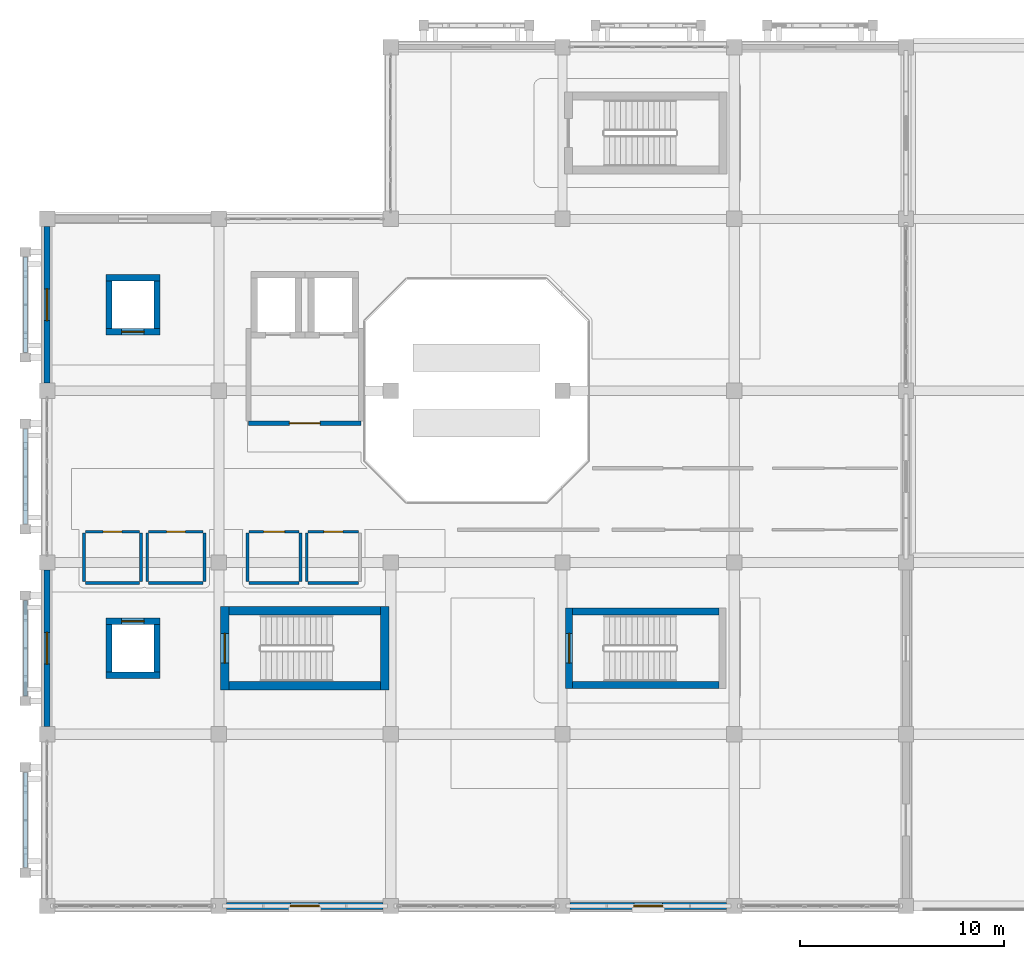
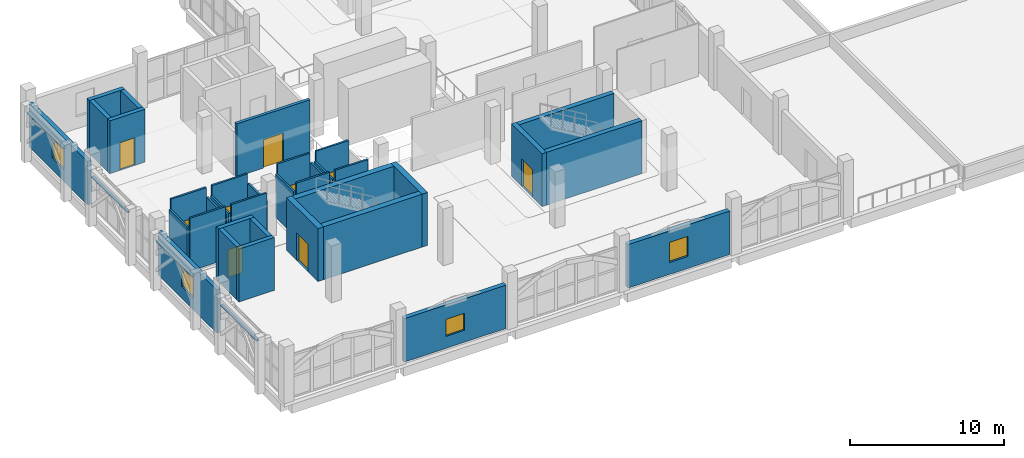
# One storey, part 26 of 34: 39 walls, 9 doors, 4 windows, 13 openings.
"""IFC4 building model written with IfcOpenShell, lengths in metres."""

from ifc_helpers import new_model, si_unit, direction, frame, frame_2d, origin, place, context, subcontext, project, spatial, rectangle, extrude, material, layer, layer_set, type_object, element, fill, save


model = new_model("IFC4")

# Units and contexts
model_context = context("Model", 3, precision=1e-05, world=origin(), true_north=direction((0.0, 1.0)))
body_context = subcontext(model_context, "Body", "Model", "MODEL_VIEW")
ifc_project = project(units=[si_unit("LENGTHUNIT", "METRE"), si_unit("AREAUNIT", "SQUARE_METRE"), si_unit("VOLUMEUNIT", "CUBIC_METRE"), si_unit("PLANEANGLEUNIT", "RADIAN"), si_unit("MASSUNIT", "GRAM", prefix="KILO")], contexts=[model_context])

# Site, building, storey
site_placement = place(None, origin())
site = spatial("IfcSite", under=ifc_project, at=site_placement, CompositionType="ELEMENT")
building_placement = place(site_placement, origin())
building = spatial("IfcBuilding", under=site, at=building_placement, Name="Xazarin Passage Department Store", CompositionType="ELEMENT")
storey_placement = place(building_placement, frame((0.0, 0.0, 18.89990234375)))
storey = spatial("IfcBuildingStorey", under=building, at=storey_placement, Name="L04", CompositionType="ELEMENT", Elevation=18.89990234375)

# Wall, opening, window
ifc_material_1 = material(Name="Precast concrete C40/50", Category="concrete")
ifc_layer_1 = layer(ifc_material_1, 0.280029296875)
ifc_layer_set_1 = layer_set([ifc_layer_1], Name="Precast concrete C40/50")
wall_type_1 = type_object("IfcWallType", Name="ARC-W-EXT280", PredefinedType="SOLIDWALL", material=ifc_layer_set_1)
wall_1_placement = place(storey_placement, frame((0.0, 76.77490234375, 0.0), z_axis=(0.0, 0.0, 1.0), x_axis=(0.0, 1.0, 0.0)))
wall_1 = element("IfcWall", 1, at=wall_1_placement, inside=storey, type_object=wall_type_1, Name="L04 V1 Exterior Wall 054", PredefinedType="SOLIDWALL", context=body_context, shape_type="SweptSolid", body=[
    extrude(rectangle(XDim=7.650146484375, YDim=0.280029296875, at=frame_2d((3.8251953125, 0.0))), origin(), (0.0, 0.0, 1.0), 3.4501953125),
])
opening_1_placement = place(wall_1_placement, frame((3.050048828125, 0.0, 0.949951171875)))
opening_1 = element("IfcOpeningElement", 2, at=opening_1_placement, cuts=wall_1, Name="Opening W18", PredefinedType="OPENING", context=body_context, shape_type="SweptSolid", body=[
    extrude(rectangle(XDim=1.550048828125, YDim=1.60009765625, at=frame_2d((0.77490234375, 0.800048828125))), frame((0.0, 0.14990234375, 0.0), z_axis=(0.0, -1.0, 0.0), x_axis=(1.0, 0.0, 0.0)), (0.0, 0.0, 1.0), 0.300048828125),
])
ifc_material_2 = material(Name="Low-E laminated safety glass", Category="glass")
window_type_1 = type_object("IfcWindowType", Name="ARC-WIN-W18", PartitioningType="SINGLE_PANEL", PredefinedType="WINDOW", material=ifc_material_2)
window_1_placement = place(opening_1_placement, origin())
window_1 = element("IfcWindow", 3, at=window_1_placement, inside=storey, type_object=window_type_1, Name="L04 V1 Facade Window 0018", OverallHeight=1.60009765625, OverallWidth=1.550048828125, PartitioningType="SINGLE_PANEL", PredefinedType="WINDOW", context=body_context, shape_type="SweptSolid", body=[
    extrude(rectangle(XDim=1.550048828125, YDim=1.60009765625, at=frame_2d((0.77490234375, 0.800048828125))), frame((0.0, 0.030029296875, 0.0), z_axis=(0.0, -1.0, 0.0), x_axis=(1.0, 0.0, 0.0)), (0.0, 0.0, 1.0), 0.06005859375),
])
fill(opening_1, window_1)

ifc_layer_2 = layer(ifc_material_1, 0.300048828125)
ifc_layer_set_2 = layer_set([ifc_layer_2], Name="Precast concrete C40/50")
wall_type_2 = type_object("IfcWallType", Name="ARC-W-EXT300", PredefinedType="SOLIDWALL", material=ifc_layer_set_2)
wall_2_placement = place(storey_placement, frame((0.0, 93.574951171875, 0.0), z_axis=(0.0, 0.0, 1.0), x_axis=(0.0, 1.0, 0.0)))
wall_2 = element("IfcWall", 4, at=wall_2_placement, inside=storey, type_object=wall_type_2, Name="L04 V1 Exterior Wall 055", PredefinedType="SOLIDWALL", context=body_context, shape_type="SweptSolid", body=[
    extrude(rectangle(XDim=7.650146484375, YDim=0.300048828125, at=frame_2d((3.8251953125, 0.0))), origin(), (0.0, 0.0, 1.0), 3.4501953125),
])
opening_2_placement = place(wall_2_placement, frame((3.050048828125, 0.0, 0.949951171875)))
opening_2 = element("IfcOpeningElement", 5, at=opening_2_placement, cuts=wall_2, Name="Opening W19", PredefinedType="OPENING", context=body_context, shape_type="SweptSolid", body=[
    extrude(rectangle(XDim=1.550048828125, YDim=1.85009765625, at=frame_2d((0.77490234375, 0.925048828125))), frame((0.0, 0.159912109375, 0.0), z_axis=(0.0, -1.0, 0.0), x_axis=(1.0, 0.0, 0.0)), (0.0, 0.0, 1.0), 0.320068359375),
])
window_type_2 = type_object("IfcWindowType", Name="ARC-WIN-W19", PartitioningType="SINGLE_PANEL", PredefinedType="WINDOW", material=ifc_material_2)
window_2_placement = place(opening_2_placement, origin())
window_2 = element("IfcWindow", 6, at=window_2_placement, inside=storey, type_object=window_type_2, Name="L04 V1 Facade Window 0019", OverallHeight=1.85009765625, OverallWidth=1.550048828125, PartitioningType="SINGLE_PANEL", PredefinedType="WINDOW", context=body_context, shape_type="SweptSolid", body=[
    extrude(rectangle(XDim=1.550048828125, YDim=1.85009765625, at=frame_2d((0.77490234375, 0.925048828125))), frame((0.0, 0.030029296875, 0.0), z_axis=(0.0, -1.0, 0.0), x_axis=(1.0, 0.0, 0.0)), (0.0, 0.0, 1.0), 0.06005859375),
])
fill(opening_2, window_2)

ifc_material_3 = material(Name="Buff Baku clay brick", Category="masonry")
ifc_layer_3 = layer(ifc_material_3, 0.320068359375)
ifc_layer_set_3 = layer_set([ifc_layer_3], Name="Buff Baku clay brick")
wall_type_3 = type_object("IfcWallType", Name="ARC-W-EXT320", PredefinedType="SOLIDWALL", material=ifc_layer_set_3)
wall_3_placement = place(storey_placement, frame((8.77490234375, 68.0, 0.0), z_axis=(0.0, 0.0, 1.0), x_axis=(1.0, 0.0, 0.0)))
wall_3 = element("IfcWall", 7, at=wall_3_placement, inside=storey, type_object=wall_type_3, Name="L04 V1 Exterior Wall 049", PredefinedType="SOLIDWALL", context=body_context, shape_type="SweptSolid", body=[
    extrude(rectangle(XDim=7.650146484375, YDim=0.320068359375, at=frame_2d((3.8251953125, 0.0))), origin(), (0.0, 0.0, 1.0), 3.4501953125),
])
opening_3_placement = place(wall_3_placement, frame((3.125, 0.0, 0.949951171875)))
opening_3 = element("IfcOpeningElement", 8, at=opening_3_placement, cuts=wall_3, Name="Opening W13", PredefinedType="OPENING", context=body_context, shape_type="SweptSolid", body=[
    extrude(rectangle(XDim=1.39990234375, YDim=1.35009765625, at=frame_2d((0.699951171875, 0.675048828125))), frame((0.0, 0.169921875, 0.0), z_axis=(0.0, -1.0, 0.0), x_axis=(1.0, 0.0, 0.0)), (0.0, 0.0, 1.0), 0.340087890625),
])
window_type_3 = type_object("IfcWindowType", Name="ARC-WIN-W13", PartitioningType="SINGLE_PANEL", PredefinedType="WINDOW", material=ifc_material_2)
window_3_placement = place(opening_3_placement, origin())
window_3 = element("IfcWindow", 9, at=window_3_placement, inside=storey, type_object=window_type_3, Name="L04 V1 Facade Window 0013", OverallHeight=1.35009765625, OverallWidth=1.39990234375, PartitioningType="SINGLE_PANEL", PredefinedType="WINDOW", context=body_context, shape_type="SweptSolid", body=[
    extrude(rectangle(XDim=1.39990234375, YDim=1.35009765625, at=frame_2d((0.699951171875, 0.675048828125))), frame((0.0, 0.030029296875, 0.0), z_axis=(0.0, -1.0, 0.0), x_axis=(1.0, 0.0, 0.0)), (0.0, 0.0, 1.0), 0.06005859375),
])
fill(opening_3, window_3)

ifc_material_4 = material(Name="Absheron limestone cladding", Category="masonry")
ifc_layer_4 = layer(ifc_material_4, 0.340087890625)
ifc_layer_set_4 = layer_set([ifc_layer_4], Name="Absheron limestone cladding")
wall_type_4 = type_object("IfcWallType", Name="ARC-W-EXT340", PredefinedType="SOLIDWALL", material=ifc_layer_set_4)
wall_4_placement = place(storey_placement, frame((25.574951171875, 68.0, 0.0), z_axis=(0.0, 0.0, 1.0), x_axis=(1.0, 0.0, 0.0)))
wall_4 = element("IfcWall", 10, at=wall_4_placement, inside=storey, type_object=wall_type_4, Name="L04 V1 Exterior Wall 050", PredefinedType="SOLIDWALL", context=body_context, shape_type="SweptSolid", body=[
    extrude(rectangle(XDim=7.650146484375, YDim=0.340087890625, at=frame_2d((3.8251953125, 0.0))), origin(), (0.0, 0.0, 1.0), 3.4501953125),
])
opening_4_placement = place(wall_4_placement, frame((3.125, 0.0, 0.949951171875)))
opening_4 = element("IfcOpeningElement", 11, at=opening_4_placement, cuts=wall_4, Name="Opening W14", PredefinedType="OPENING", context=body_context, shape_type="SweptSolid", body=[
    extrude(rectangle(XDim=1.39990234375, YDim=1.60009765625, at=frame_2d((0.699951171875, 0.800048828125))), frame((0.0, 0.179931640625, 0.0), z_axis=(0.0, -1.0, 0.0), x_axis=(1.0, 0.0, 0.0)), (0.0, 0.0, 1.0), 0.360107421875),
])
window_type_4 = type_object("IfcWindowType", Name="ARC-WIN-W14", PartitioningType="SINGLE_PANEL", PredefinedType="WINDOW", material=ifc_material_2)
window_4_placement = place(opening_4_placement, origin())
window_4 = element("IfcWindow", 12, at=window_4_placement, inside=storey, type_object=window_type_4, Name="L04 V1 Facade Window 0014", OverallHeight=1.60009765625, OverallWidth=1.39990234375, PartitioningType="SINGLE_PANEL", PredefinedType="WINDOW", context=body_context, shape_type="SweptSolid", body=[
    extrude(rectangle(XDim=1.39990234375, YDim=1.60009765625, at=frame_2d((0.699951171875, 0.800048828125))), frame((0.0, 0.030029296875, 0.0), z_axis=(0.0, -1.0, 0.0), x_axis=(1.0, 0.0, 0.0)), (0.0, 0.0, 1.0), 0.06005859375),
])
fill(opening_4, window_4)

# Wall, opening, door
ifc_material_5 = material(Name="Concrete C35/45", Category="concrete")
ifc_layer_5 = layer(ifc_material_5, 0.22509765625)
ifc_layer_set_5 = layer_set([ifc_layer_5], Name="Concrete C35/45")
wall_type_5 = type_object("IfcWallType", Name="ARC-W-FIR225", PredefinedType="PARTITIONING", material=ifc_layer_set_5)
wall_5_placement = place(storey_placement, frame((9.85009765625, 91.60009765625, 0.0), z_axis=(0.0, 0.0, 1.0), x_axis=(1.0, 0.0, 0.0)))
wall_5 = element("IfcWall", 13, at=wall_5_placement, inside=storey, type_object=wall_type_5, Name="L04 Firefighting Lift Lobby South Wall 0016", PredefinedType="PARTITIONING", context=body_context, shape_type="SweptSolid", body=[
    extrude(rectangle(XDim=5.5, YDim=0.22509765625, at=frame_2d((2.75, 0.0))), origin(), (0.0, 0.0, 1.0), 4.2001953125),
])
opening_5_placement = place(wall_5_placement, frame((2.0, 0.0, 0.0)))
opening_5 = element("IfcOpeningElement", 14, at=opening_5_placement, cuts=wall_5, Name="Opening FD3", PredefinedType="OPENING", context=body_context, shape_type="SweptSolid", body=[
    extrude(rectangle(XDim=1.5, YDim=2.25, at=frame_2d((0.75, 1.125))), frame((0.0, 0.12255859375, 0.0), z_axis=(0.0, -1.0, 0.0), x_axis=(1.0, 0.0, 0.0)), (0.0, 0.0, 1.0), 0.2451171875),
])
ifc_material_6 = material(Name="Steel S355", Category="steel")
door_type_1 = type_object("IfcDoorType", Name="ARC-DR-FFL150", OperationType="NOTDEFINED", PredefinedType="DOOR", material=ifc_material_6)
door_1_placement = place(opening_5_placement, origin())
door_1 = element("IfcDoor", 15, at=door_1_placement, inside=storey, type_object=door_type_1, Name="DR-INT-L04-0016", OperationType="SINGLE_SWING_LEFT", OverallHeight=2.25, OverallWidth=1.5, PredefinedType="DOOR", context=body_context, shape_type="SweptSolid", body=[
    extrude(rectangle(XDim=1.5, YDim=2.25, at=frame_2d((0.75, 1.125))), frame((0.0, 0.02490234375, 0.0), z_axis=(0.0, -1.0, 0.0), x_axis=(1.0, 0.0, 0.0)), (0.0, 0.0, 1.0), 0.050048828125),
])
fill(opening_5, door_1)

# Walls
ifc_layer_6 = layer(ifc_material_1, 0.18994140625)
ifc_layer_set_6 = layer_set([ifc_layer_6], Name="Precast concrete C40/50")
wall_type_6 = type_object("IfcWallType", Name="ARC-W-PAR190", PredefinedType="PARAPET", material=ifc_layer_set_6)
for number, where, z_axis, x_axis, name in (
    (16, (-1.050048828125, 69.8701171875, 3.880126953125), (0.0, 0.0, 1.0), (0.0, 1.0, 0.0), "L04 V1 Pierced-Arch Spandrel Lintel 0046"),
    (17, (-1.050048828125, 78.27001953125, 3.880126953125), (0.0, 0.0, 1.0), (0.0, 1.0, 0.0), "L04 V1 Pierced-Arch Spandrel Lintel 0051"),
):
    element("IfcWall", number, at=place(storey_placement, frame(where, z_axis=z_axis, x_axis=x_axis)), inside=storey, type_object=wall_type_6, Name=name, PredefinedType="PARAPET", context=body_context, shape_type="SweptSolid", body=[
        extrude(rectangle(XDim=4.659912109375, YDim=0.18994140625, at=frame_2d((2.330078125, 0.0))), origin(), (0.0, 0.0, 1.0), 0.119873046875),
    ])
wall_6_placement = place(storey_placement, frame((-1.050048828125, 86.669921875, 3.880126953125), z_axis=(0.0, 0.0, 1.0), x_axis=(0.0, 1.0, 0.0)))
element("IfcWall", 18, at=wall_6_placement, inside=storey, type_object=wall_type_6, Name="L04 V1 Pierced-Arch Spandrel Lintel 0059", PredefinedType="PARAPET", context=body_context, shape_type="SweptSolid", body=[
    extrude(rectangle(XDim=4.66015625, YDim=0.18994140625, at=frame_2d((2.330078125, 0.0))), origin(), (0.0, 0.0, 1.0), 0.119873046875),
])
wall_7_placement = place(storey_placement, frame((-1.050048828125, 95.070068359375, 3.880126953125), z_axis=(0.0, 0.0, 1.0), x_axis=(0.0, 1.0, 0.0)))
element("IfcWall", 19, at=wall_7_placement, inside=storey, type_object=wall_type_6, Name="L04 V1 Pierced-Arch Spandrel Lintel 0067", PredefinedType="PARAPET", context=body_context, shape_type="SweptSolid", body=[
    extrude(rectangle(XDim=4.659912109375, YDim=0.18994140625, at=frame_2d((2.330078125, 0.0))), origin(), (0.0, 0.0, 1.0), 0.119873046875),
])

# Wall, opening, door
ifc_material_7 = material(Name="Moisture-resistant masonry partition", Category="masonry")
ifc_layer_7 = layer(ifc_material_7, 0.139892578125)
ifc_layer_set_7 = layer_set([ifc_layer_7], Name="Moisture-resistant masonry partition")
wall_type_7 = type_object("IfcWallType", Name="ARC-W-PRT140", PredefinedType="PARTITIONING", material=ifc_layer_set_7)
wall_8_placement = place(storey_placement, frame((1.8701171875, 86.300048828125, 0.0), z_axis=(0.0, 0.0, 1.0), x_axis=(1.0, 0.0, 0.0)))
wall_8 = element("IfcWall", 20, at=wall_8_placement, inside=storey, type_object=wall_type_7, Name="L04 Public Male WC 0231", PredefinedType="PARTITIONING", context=body_context, shape_type="SweptSolid", body=[
    extrude(rectangle(XDim=2.659912109375, YDim=0.139892578125, at=frame_2d((1.330078125, 0.0))), origin(), (0.0, 0.0, 1.0), 4.2001953125),
])
opening_6_placement = place(wall_8_placement, frame((0.8701171875, 0.0, 0.0)))
opening_6 = element("IfcOpeningElement", 21, at=opening_6_placement, cuts=wall_8, Name="Opening ID1", PredefinedType="OPENING", context=body_context, shape_type="SweptSolid", body=[
    extrude(rectangle(XDim=0.919921875, YDim=2.1201171875, at=frame_2d((0.4599609375, 1.06005859375))), frame((0.0, 0.079833984375, 0.0), z_axis=(0.0, -1.0, 0.0), x_axis=(1.0, 0.0, 0.0)), (0.0, 0.0, 1.0), 0.159912109375),
])
ifc_material_8 = material(Name="Timber acoustic leaf", Category="wood")
door_type_2 = type_object("IfcDoorType", Name="ARC-DR-WC092", OperationType="NOTDEFINED", PredefinedType="DOOR", material=ifc_material_8)
door_2_placement = place(opening_6_placement, origin())
door_2 = element("IfcDoor", 22, at=door_2_placement, inside=storey, type_object=door_type_2, Name="DR-INT-L04-0231", OperationType="SINGLE_SWING_LEFT", OverallHeight=2.1201171875, OverallWidth=0.919921875, PredefinedType="DOOR", context=body_context, shape_type="SweptSolid", body=[
    extrude(rectangle(XDim=0.919921875, YDim=2.1201171875, at=frame_2d((0.4599609375, 1.06005859375))), frame((0.0, 0.02490234375, 0.0), z_axis=(0.0, -1.0, 0.0), x_axis=(1.0, 0.0, 0.0)), (0.0, 0.0, 1.0), 0.050048828125),
])
fill(opening_6, door_2)

# Walls
wall_9_placement = place(storey_placement, frame((1.8701171875, 83.800048828125, 0.0), z_axis=(0.0, 0.0, 1.0), x_axis=(1.0, 0.0, 0.0)))
element("IfcWall", 23, at=wall_9_placement, inside=storey, type_object=wall_type_7, Name="L04 Public Male WC Back Wall 0232", PredefinedType="PARTITIONING", context=body_context, shape_type="SweptSolid", body=[
    extrude(rectangle(XDim=2.659912109375, YDim=0.139892578125, at=frame_2d((1.330078125, 0.0))), origin(), (0.0, 0.0, 1.0), 4.2001953125),
])
for number, where, z_axis, x_axis, name in (
    (24, (1.800048828125, 83.8701171875, 0.0), (0.0, 0.0, 1.0), (0.0, 1.0, 0.0), "L04 Public Male WC Side Wall 0233"),
    (25, (4.60009765625, 83.8701171875, 0.0), (0.0, 0.0, 1.0), (0.0, 1.0, 0.0), "L04 Public Male WC Side Wall 0234"),
):
    element("IfcWall", number, at=place(storey_placement, frame(where, z_axis=z_axis, x_axis=x_axis)), inside=storey, type_object=wall_type_7, Name=name, PredefinedType="PARTITIONING", context=body_context, shape_type="SweptSolid", body=[
        extrude(rectangle(XDim=2.35986328125, YDim=0.139892578125, at=frame_2d((1.179931640625, 0.0))), origin(), (0.0, 0.0, 1.0), 3.4501953125),
    ])

# Wall, opening, door
wall_10_placement = place(storey_placement, frame((4.969970703125, 86.300048828125, 0.0), z_axis=(0.0, 0.0, 1.0), x_axis=(1.0, 0.0, 0.0)))
wall_10 = element("IfcWall", 26, at=wall_10_placement, inside=storey, type_object=wall_type_7, Name="L04 Public Female WC 0235", PredefinedType="PARTITIONING", context=body_context, shape_type="SweptSolid", body=[
    extrude(rectangle(XDim=2.659912109375, YDim=0.139892578125, at=frame_2d((1.330078125, 0.0))), origin(), (0.0, 0.0, 1.0), 4.2001953125),
])
opening_7_placement = place(wall_10_placement, frame((0.8701171875, 0.0, 0.0)))
opening_7 = element("IfcOpeningElement", 27, at=opening_7_placement, cuts=wall_10, Name="Opening ID1", PredefinedType="OPENING", context=body_context, shape_type="SweptSolid", body=[
    extrude(rectangle(XDim=0.919921875, YDim=2.1201171875, at=frame_2d((0.4599609375, 1.06005859375))), frame((0.0, 0.079833984375, 0.0), z_axis=(0.0, -1.0, 0.0), x_axis=(1.0, 0.0, 0.0)), (0.0, 0.0, 1.0), 0.159912109375),
])
door_3_placement = place(opening_7_placement, origin())
door_3 = element("IfcDoor", 28, at=door_3_placement, inside=storey, type_object=door_type_2, Name="DR-INT-L04-0235", OperationType="SINGLE_SWING_RIGHT", OverallHeight=2.1201171875, OverallWidth=0.919921875, PredefinedType="DOOR", context=body_context, shape_type="SweptSolid", body=[
    extrude(rectangle(XDim=0.919921875, YDim=2.1201171875, at=frame_2d((0.4599609375, 1.06005859375))), frame((0.0, 0.02490234375, 0.0), z_axis=(0.0, -1.0, 0.0), x_axis=(1.0, 0.0, 0.0)), (0.0, 0.0, 1.0), 0.050048828125),
])
fill(opening_7, door_3)

# Walls
wall_11_placement = place(storey_placement, frame((4.969970703125, 83.800048828125, 0.0), z_axis=(0.0, 0.0, 1.0), x_axis=(1.0, 0.0, 0.0)))
element("IfcWall", 29, at=wall_11_placement, inside=storey, type_object=wall_type_7, Name="L04 Public Female WC Back Wall 0236", PredefinedType="PARTITIONING", context=body_context, shape_type="SweptSolid", body=[
    extrude(rectangle(XDim=2.659912109375, YDim=0.139892578125, at=frame_2d((1.330078125, 0.0))), origin(), (0.0, 0.0, 1.0), 4.2001953125),
])
for number, where, z_axis, x_axis, name in (
    (30, (4.89990234375, 83.8701171875, 0.0), (0.0, 0.0, 1.0), (0.0, 1.0, 0.0), "L04 Public Female WC Side Wall 0237"),
    (31, (7.699951171875, 83.8701171875, 0.0), (0.0, 0.0, 1.0), (0.0, 1.0, 0.0), "L04 Public Female WC Side Wall 0238"),
):
    element("IfcWall", number, at=place(storey_placement, frame(where, z_axis=z_axis, x_axis=x_axis)), inside=storey, type_object=wall_type_7, Name=name, PredefinedType="PARTITIONING", context=body_context, shape_type="SweptSolid", body=[
        extrude(rectangle(XDim=2.35986328125, YDim=0.139892578125, at=frame_2d((1.179931640625, 0.0))), origin(), (0.0, 0.0, 1.0), 3.4501953125),
    ])

# Wall, opening, door
wall_12_placement = place(storey_placement, frame((9.8701171875, 86.300048828125, 0.0), z_axis=(0.0, 0.0, 1.0), x_axis=(1.0, 0.0, 0.0)))
wall_12 = element("IfcWall", 32, at=wall_12_placement, inside=storey, type_object=wall_type_7, Name="L04 Accessible WC 0239", PredefinedType="PARTITIONING", context=body_context, shape_type="SweptSolid", body=[
    extrude(rectangle(XDim=2.4599609375, YDim=0.139892578125, at=frame_2d((1.22998046875, 0.0))), origin(), (0.0, 0.0, 1.0), 4.2001953125),
])
opening_8_placement = place(wall_12_placement, frame((0.719970703125, 0.0, 0.0)))
opening_8 = element("IfcOpeningElement", 33, at=opening_8_placement, cuts=wall_12, Name="Opening ID2", PredefinedType="OPENING", context=body_context, shape_type="SweptSolid", body=[
    extrude(rectangle(XDim=1.02001953125, YDim=2.14990234375, at=frame_2d((0.510009765625, 1.074951171875))), frame((0.0, 0.079833984375, 0.0), z_axis=(0.0, -1.0, 0.0), x_axis=(1.0, 0.0, 0.0)), (0.0, 0.0, 1.0), 0.159912109375),
])
door_type_3 = type_object("IfcDoorType", Name="ARC-DR-AWC102", OperationType="NOTDEFINED", PredefinedType="DOOR", material=ifc_material_8)
door_4_placement = place(opening_8_placement, origin())
door_4 = element("IfcDoor", 34, at=door_4_placement, inside=storey, type_object=door_type_3, Name="DR-INT-L04-0239", OperationType="SINGLE_SWING_LEFT", OverallHeight=2.14990234375, OverallWidth=1.02001953125, PredefinedType="DOOR", context=body_context, shape_type="SweptSolid", body=[
    extrude(rectangle(XDim=1.02001953125, YDim=2.14990234375, at=frame_2d((0.510009765625, 1.074951171875))), frame((0.0, 0.02490234375, 0.0), z_axis=(0.0, -1.0, 0.0), x_axis=(1.0, 0.0, 0.0)), (0.0, 0.0, 1.0), 0.050048828125),
])
fill(opening_8, door_4)

# Walls
wall_13_placement = place(storey_placement, frame((9.8701171875, 83.800048828125, 0.0), z_axis=(0.0, 0.0, 1.0), x_axis=(1.0, 0.0, 0.0)))
element("IfcWall", 35, at=wall_13_placement, inside=storey, type_object=wall_type_7, Name="L04 Accessible WC Back Wall 0240", PredefinedType="PARTITIONING", context=body_context, shape_type="SweptSolid", body=[
    extrude(rectangle(XDim=2.4599609375, YDim=0.139892578125, at=frame_2d((1.22998046875, 0.0))), origin(), (0.0, 0.0, 1.0), 4.2001953125),
])
for number, where, z_axis, x_axis, name in (
    (36, (9.800048828125, 83.8701171875, 0.0), (0.0, 0.0, 1.0), (0.0, 1.0, 0.0), "L04 Accessible WC Side Wall 0241"),
    (37, (12.39990234375, 83.8701171875, 0.0), (0.0, 0.0, 1.0), (0.0, 1.0, 0.0), "L04 Accessible WC Side Wall 0242"),
):
    element("IfcWall", number, at=place(storey_placement, frame(where, z_axis=z_axis, x_axis=x_axis)), inside=storey, type_object=wall_type_7, Name=name, PredefinedType="PARTITIONING", context=body_context, shape_type="SweptSolid", body=[
        extrude(rectangle(XDim=2.35986328125, YDim=0.139892578125, at=frame_2d((1.179931640625, 0.0))), origin(), (0.0, 0.0, 1.0), 3.4501953125),
    ])

# Wall, opening, door
wall_14_placement = place(storey_placement, frame((12.77001953125, 86.300048828125, 0.0), z_axis=(0.0, 0.0, 1.0), x_axis=(1.0, 0.0, 0.0)))
wall_14 = element("IfcWall", 38, at=wall_14_placement, inside=storey, type_object=wall_type_7, Name="L04 Staff WC 0243", PredefinedType="PARTITIONING", context=body_context, shape_type="SweptSolid", body=[
    extrude(rectangle(XDim=2.4599609375, YDim=0.139892578125, at=frame_2d((1.22998046875, 0.0))), origin(), (0.0, 0.0, 1.0), 4.2001953125),
])
opening_9_placement = place(wall_14_placement, frame((0.77001953125, 0.0, 0.0)))
opening_9 = element("IfcOpeningElement", 39, at=opening_9_placement, cuts=wall_14, Name="Opening ID1", PredefinedType="OPENING", context=body_context, shape_type="SweptSolid", body=[
    extrude(rectangle(XDim=0.919921875, YDim=2.1201171875, at=frame_2d((0.4599609375, 1.06005859375))), frame((0.0, 0.079833984375, 0.0), z_axis=(0.0, -1.0, 0.0), x_axis=(1.0, 0.0, 0.0)), (0.0, 0.0, 1.0), 0.159912109375),
])
door_5_placement = place(opening_9_placement, origin())
door_5 = element("IfcDoor", 40, at=door_5_placement, inside=storey, type_object=door_type_2, Name="DR-INT-L04-0243", OperationType="SINGLE_SWING_RIGHT", OverallHeight=2.1201171875, OverallWidth=0.919921875, PredefinedType="DOOR", context=body_context, shape_type="SweptSolid", body=[
    extrude(rectangle(XDim=0.919921875, YDim=2.1201171875, at=frame_2d((0.4599609375, 1.06005859375))), frame((0.0, 0.02490234375, 0.0), z_axis=(0.0, -1.0, 0.0), x_axis=(1.0, 0.0, 0.0)), (0.0, 0.0, 1.0), 0.050048828125),
])
fill(opening_9, door_5)

# Walls
wall_15_placement = place(storey_placement, frame((12.77001953125, 83.800048828125, 0.0), z_axis=(0.0, 0.0, 1.0), x_axis=(1.0, 0.0, 0.0)))
element("IfcWall", 41, at=wall_15_placement, inside=storey, type_object=wall_type_7, Name="L04 Staff WC Back Wall 0244", PredefinedType="PARTITIONING", context=body_context, shape_type="SweptSolid", body=[
    extrude(rectangle(XDim=2.4599609375, YDim=0.139892578125, at=frame_2d((1.22998046875, 0.0))), origin(), (0.0, 0.0, 1.0), 4.2001953125),
])
wall_16_placement = place(storey_placement, frame((12.699951171875, 83.8701171875, 0.0), z_axis=(0.0, 0.0, 1.0), x_axis=(0.0, 1.0, 0.0)))
element("IfcWall", 42, at=wall_16_placement, inside=storey, type_object=wall_type_7, Name="L04 Staff WC Side Wall 0245", PredefinedType="PARTITIONING", context=body_context, shape_type="SweptSolid", body=[
    extrude(rectangle(XDim=2.35986328125, YDim=0.139892578125, at=frame_2d((1.179931640625, 0.0))), origin(), (0.0, 0.0, 1.0), 3.4501953125),
])
ifc_material_9 = material(Name="Concrete C40/50", Category="concrete")
ifc_layer_8 = layer(ifc_material_9, 0.31005859375)
ifc_layer_set_8 = layer_set([ifc_layer_8], Name="Concrete C40/50")
wall_type_8 = type_object("IfcWallType", Name="STR-W-LFT310", PredefinedType="SHEAR", material=ifc_layer_set_8)
wall_17_placement = place(storey_placement, frame((2.8701171875, 79.27490234375, 0.0), z_axis=(0.0, 0.0, 1.0), x_axis=(1.0, 0.0, 0.0)))
element("IfcWall", 43, at=wall_17_placement, inside=storey, type_object=wall_type_8, Name="L04 Lift PL1 Shaft Wall South", PredefinedType="SHEAR", context=body_context, shape_type="SweptSolid", body=[
    extrude(rectangle(XDim=2.659912109375, YDim=0.31005859375, at=frame_2d((1.330078125, 0.0))), origin(), (0.0, 0.0, 1.0), 4.2001953125),
])

# Wall, opening, door
wall_18_placement = place(storey_placement, frame((2.8701171875, 81.925048828125, 0.0), z_axis=(0.0, 0.0, 1.0), x_axis=(1.0, 0.0, 0.0)))
wall_18 = element("IfcWall", 44, at=wall_18_placement, inside=storey, type_object=wall_type_8, Name="L04 Lift PL1 Shaft Wall North", PredefinedType="SHEAR", context=body_context, shape_type="SweptSolid", body=[
    extrude(rectangle(XDim=2.659912109375, YDim=0.31005859375, at=frame_2d((1.330078125, 0.0))), origin(), (0.0, 0.0, 1.0), 4.2001953125),
])
opening_10_placement = place(wall_18_placement, frame((0.780029296875, 0.0, 0.0)))
opening_10 = element("IfcOpeningElement", 45, at=opening_10_placement, cuts=wall_18, Name="Opening LD-PL1-L04", PredefinedType="OPENING", context=body_context, shape_type="SweptSolid", body=[
    extrude(rectangle(XDim=1.10009765625, YDim=2.199951171875, at=frame_2d((0.550048828125, 1.10009765625))), frame((0.0, 0.1650390625, 0.0), z_axis=(0.0, -1.0, 0.0), x_axis=(1.0, 0.0, 0.0)), (0.0, 0.0, 1.0), 0.330078125),
])
door_type_4 = type_object("IfcDoorType", Name="ARC-DR-LD110", OperationType="NOTDEFINED", PredefinedType="DOOR", material=ifc_material_6)
door_6_placement = place(opening_10_placement, origin())
door_6 = element("IfcDoor", 46, at=door_6_placement, inside=storey, type_object=door_type_4, Name="DR-LD-PL1-L04", OperationType="SLIDING_TO_LEFT", OverallHeight=2.199951171875, OverallWidth=1.10009765625, PredefinedType="DOOR", context=body_context, shape_type="SweptSolid", body=[
    extrude(rectangle(XDim=1.10009765625, YDim=2.199951171875, at=frame_2d((0.550048828125, 1.10009765625))), frame((0.0, 0.02490234375, 0.0), z_axis=(0.0, -1.0, 0.0), x_axis=(1.0, 0.0, 0.0)), (0.0, 0.0, 1.0), 0.050048828125),
])
fill(opening_10, door_6)

# Walls
for number, where, z_axis, x_axis, name in (
    (47, (3.02490234375, 79.429931640625, 0.0), (0.0, 0.0, 1.0), (0.0, 1.0, 0.0), "L04 Lift PL1 Shaft Wall West"),
    (48, (5.375, 79.429931640625, 0.0), (0.0, 0.0, 1.0), (0.0, 1.0, 0.0), "L04 Lift PL1 Shaft Wall East"),
):
    element("IfcWall", number, at=place(storey_placement, frame(where, z_axis=z_axis, x_axis=x_axis)), inside=storey, type_object=wall_type_8, Name=name, PredefinedType="SHEAR", context=body_context, shape_type="SweptSolid", body=[
        extrude(rectangle(XDim=2.340087890625, YDim=0.31005859375, at=frame_2d((1.169921875, 0.0))), origin(), (0.0, 0.0, 1.0), 4.2001953125),
    ])

# Wall, opening, door
wall_19_placement = place(storey_placement, frame((2.8701171875, 96.074951171875, 0.0), z_axis=(0.0, 0.0, 1.0), x_axis=(1.0, 0.0, 0.0)))
wall_19 = element("IfcWall", 49, at=wall_19_placement, inside=storey, type_object=wall_type_8, Name="L04 Lift PL2 Shaft Wall South", PredefinedType="SHEAR", context=body_context, shape_type="SweptSolid", body=[
    extrude(rectangle(XDim=2.659912109375, YDim=0.31005859375, at=frame_2d((1.330078125, 0.0))), origin(), (0.0, 0.0, 1.0), 4.2001953125),
])
opening_11_placement = place(wall_19_placement, frame((0.780029296875, 0.0, 0.0)))
opening_11 = element("IfcOpeningElement", 50, at=opening_11_placement, cuts=wall_19, Name="Opening LD-PL2-L04", PredefinedType="OPENING", context=body_context, shape_type="SweptSolid", body=[
    extrude(rectangle(XDim=1.10009765625, YDim=2.199951171875, at=frame_2d((0.550048828125, 1.10009765625))), frame((0.0, 0.1650390625, 0.0), z_axis=(0.0, -1.0, 0.0), x_axis=(1.0, 0.0, 0.0)), (0.0, 0.0, 1.0), 0.330078125),
])
door_7_placement = place(opening_11_placement, origin())
door_7 = element("IfcDoor", 51, at=door_7_placement, inside=storey, type_object=door_type_4, Name="DR-LD-PL2-L04", OperationType="SLIDING_TO_LEFT", OverallHeight=2.199951171875, OverallWidth=1.10009765625, PredefinedType="DOOR", context=body_context, shape_type="SweptSolid", body=[
    extrude(rectangle(XDim=1.10009765625, YDim=2.199951171875, at=frame_2d((0.550048828125, 1.10009765625))), frame((0.0, 0.02490234375, 0.0), z_axis=(0.0, -1.0, 0.0), x_axis=(1.0, 0.0, 0.0)), (0.0, 0.0, 1.0), 0.050048828125),
])
fill(opening_11, door_7)

# Walls
wall_20_placement = place(storey_placement, frame((2.8701171875, 98.72509765625, 0.0), z_axis=(0.0, 0.0, 1.0), x_axis=(1.0, 0.0, 0.0)))
element("IfcWall", 52, at=wall_20_placement, inside=storey, type_object=wall_type_8, Name="L04 Lift PL2 Shaft Wall North", PredefinedType="SHEAR", context=body_context, shape_type="SweptSolid", body=[
    extrude(rectangle(XDim=2.659912109375, YDim=0.31005859375, at=frame_2d((1.330078125, 0.0))), origin(), (0.0, 0.0, 1.0), 4.2001953125),
])
for number, where, z_axis, x_axis, name in (
    (53, (3.02490234375, 96.22998046875, 0.0), (0.0, 0.0, 1.0), (0.0, 1.0, 0.0), "L04 Lift PL2 Shaft Wall West"),
    (54, (5.375, 96.22998046875, 0.0), (0.0, 0.0, 1.0), (0.0, 1.0, 0.0), "L04 Lift PL2 Shaft Wall East"),
):
    element("IfcWall", number, at=place(storey_placement, frame(where, z_axis=z_axis, x_axis=x_axis)), inside=storey, type_object=wall_type_8, Name=name, PredefinedType="SHEAR", context=body_context, shape_type="SweptSolid", body=[
        extrude(rectangle(XDim=2.340087890625, YDim=0.31005859375, at=frame_2d((1.169921875, 0.0))), origin(), (0.0, 0.0, 1.0), 4.2001953125),
    ])

# Wall, opening, door
ifc_layer_9 = layer(ifc_material_9, 0.35009765625)
ifc_layer_set_9 = layer_set([ifc_layer_9], Name="Concrete C40/50")
wall_type_9 = type_object("IfcWallType", Name="STR-W-SHR350", PredefinedType="SHEAR", material=ifc_layer_set_9)
wall_21_placement = place(storey_placement, frame((25.52490234375, 82.570068359375, 0.0), z_axis=(0.0, 0.0, 1.0), x_axis=(0.0, -1.0, 0.0)))
wall_21 = element("IfcWall", 55, at=wall_21_placement, inside=storey, type_object=wall_type_9, Name="L04 Core K3 West Shear Wall", PredefinedType="SHEAR", context=body_context, shape_type="SweptSolid", body=[
    extrude(rectangle(XDim=3.940185546875, YDim=0.35009765625, at=frame_2d((1.97021484375, 0.0))), origin(), (0.0, 0.0, 1.0), 4.2001953125),
])
opening_12_placement = place(wall_21_placement, frame((1.2451171875, 0.0, 0.0)))
opening_12 = element("IfcOpeningElement", 56, at=opening_12_placement, cuts=wall_21, Name="Opening FD1", PredefinedType="OPENING", context=body_context, shape_type="SweptSolid", body=[
    extrude(rectangle(XDim=1.449951171875, YDim=2.199951171875, at=frame_2d((0.72509765625, 1.10009765625))), frame((0.0, 0.18505859375, 0.0), z_axis=(0.0, -1.0, 0.0), x_axis=(1.0, 0.0, 0.0)), (0.0, 0.0, 1.0), 0.3701171875),
])
door_type_5 = type_object("IfcDoorType", Name="ARC-DR-STR145", OperationType="NOTDEFINED", PredefinedType="DOOR", material=ifc_material_6)
door_8_placement = place(opening_12_placement, origin())
door_8 = element("IfcDoor", 57, at=door_8_placement, inside=storey, type_object=door_type_5, Name="DR-STR-K3-L04", OperationType="SINGLE_SWING_RIGHT", OverallHeight=2.199951171875, OverallWidth=1.449951171875, PredefinedType="DOOR", context=body_context, shape_type="SweptSolid", body=[
    extrude(rectangle(XDim=1.449951171875, YDim=2.199951171875, at=frame_2d((0.72509765625, 1.10009765625))), frame((0.0, 0.02490234375, 0.0), z_axis=(0.0, -1.0, 0.0), x_axis=(1.0, 0.0, 0.0)), (0.0, 0.0, 1.0), 0.050048828125),
])
fill(opening_12, door_8)

# Walls
for number, where, z_axis, x_axis, name in (
    (58, (25.699951171875, 78.804931640625, 0.0), (0.0, 0.0, 1.0), (1.0, 0.0, 0.0), "L04 Core K3 South Shear Wall"),
    (59, (25.699951171875, 82.39501953125, 0.0), (0.0, 0.0, 1.0), (1.0, 0.0, 0.0), "L04 Core K3 North Shear Wall"),
):
    element("IfcWall", number, at=place(storey_placement, frame(where, z_axis=z_axis, x_axis=x_axis)), inside=storey, type_object=wall_type_9, Name=name, PredefinedType="SHEAR", context=body_context, shape_type="SweptSolid", body=[
        extrude(rectangle(XDim=7.150146484375, YDim=0.35009765625, at=frame_2d((3.5751953125, 0.0))), origin(), (0.0, 0.0, 1.0), 4.2001953125),
    ])

# Wall, opening, door
ifc_layer_10 = layer(ifc_material_9, 0.419921875)
ifc_layer_set_10 = layer_set([ifc_layer_10], Name="Concrete C40/50")
wall_type_10 = type_object("IfcWallType", Name="STR-W-SHR420", PredefinedType="SHEAR", material=ifc_layer_set_10)
wall_22_placement = place(storey_placement, frame((8.68994140625, 82.639892578125, 0.0), z_axis=(0.0, 0.0, 1.0), x_axis=(0.0, -1.0, 0.0)))
wall_22 = element("IfcWall", 60, at=wall_22_placement, inside=storey, type_object=wall_type_10, Name="L04 Core K1 West Shear Wall", PredefinedType="SHEAR", context=body_context, shape_type="SweptSolid", body=[
    extrude(rectangle(XDim=4.079833984375, YDim=0.419921875, at=frame_2d((2.0400390625, 0.0))), origin(), (0.0, 0.0, 1.0), 4.2001953125),
])
opening_13_placement = place(wall_22_placement, frame((1.31494140625, 0.0, 0.0)))
opening_13 = element("IfcOpeningElement", 61, at=opening_13_placement, cuts=wall_22, Name="Opening FD1", PredefinedType="OPENING", context=body_context, shape_type="SweptSolid", body=[
    extrude(rectangle(XDim=1.449951171875, YDim=2.199951171875, at=frame_2d((0.72509765625, 1.10009765625))), frame((0.0, 0.219970703125, 0.0), z_axis=(0.0, -1.0, 0.0), x_axis=(1.0, 0.0, 0.0)), (0.0, 0.0, 1.0), 0.43994140625),
])
door_9_placement = place(opening_13_placement, origin())
door_9 = element("IfcDoor", 62, at=door_9_placement, inside=storey, type_object=door_type_5, Name="DR-STR-K1-L04", OperationType="SINGLE_SWING_RIGHT", OverallHeight=2.199951171875, OverallWidth=1.449951171875, PredefinedType="DOOR", context=body_context, shape_type="SweptSolid", body=[
    extrude(rectangle(XDim=1.449951171875, YDim=2.199951171875, at=frame_2d((0.72509765625, 1.10009765625))), frame((0.0, 0.02490234375, 0.0), z_axis=(0.0, -1.0, 0.0), x_axis=(1.0, 0.0, 0.0)), (0.0, 0.0, 1.0), 0.050048828125),
])
fill(opening_13, door_9)

# Walls
wall_23_placement = place(storey_placement, frame((16.510009765625, 78.56005859375, 0.0), z_axis=(0.0, 0.0, 1.0), x_axis=(0.0, 1.0, 0.0)))
element("IfcWall", 63, at=wall_23_placement, inside=storey, type_object=wall_type_10, Name="L04 Core K1 East Shear Wall", PredefinedType="SHEAR", context=body_context, shape_type="SweptSolid", body=[
    extrude(rectangle(XDim=4.079833984375, YDim=0.419921875, at=frame_2d((2.0400390625, 0.0))), origin(), (0.0, 0.0, 1.0), 4.2001953125),
])
for number, where, z_axis, x_axis, name in (
    (64, (8.89990234375, 78.77001953125, 0.0), (0.0, 0.0, 1.0), (1.0, 0.0, 0.0), "L04 Core K1 South Shear Wall"),
    (65, (8.89990234375, 82.429931640625, 0.0), (0.0, 0.0, 1.0), (1.0, 0.0, 0.0), "L04 Core K1 North Shear Wall"),
):
    element("IfcWall", number, at=place(storey_placement, frame(where, z_axis=z_axis, x_axis=x_axis)), inside=storey, type_object=wall_type_10, Name=name, PredefinedType="SHEAR", context=body_context, shape_type="SweptSolid", body=[
        extrude(rectangle(XDim=7.400146484375, YDim=0.419921875, at=frame_2d((3.7001953125, 0.0))), origin(), (0.0, 0.0, 1.0), 4.2001953125),
    ])

save(model, "model.ifc")
